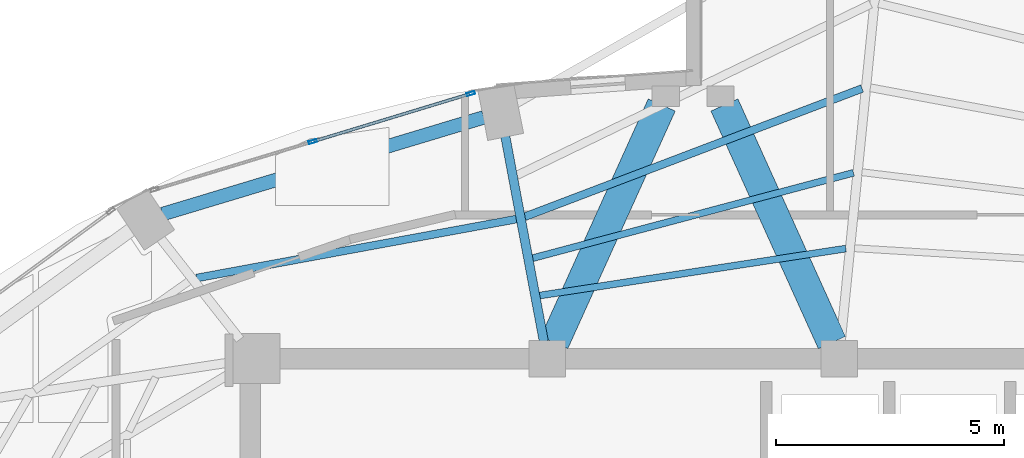
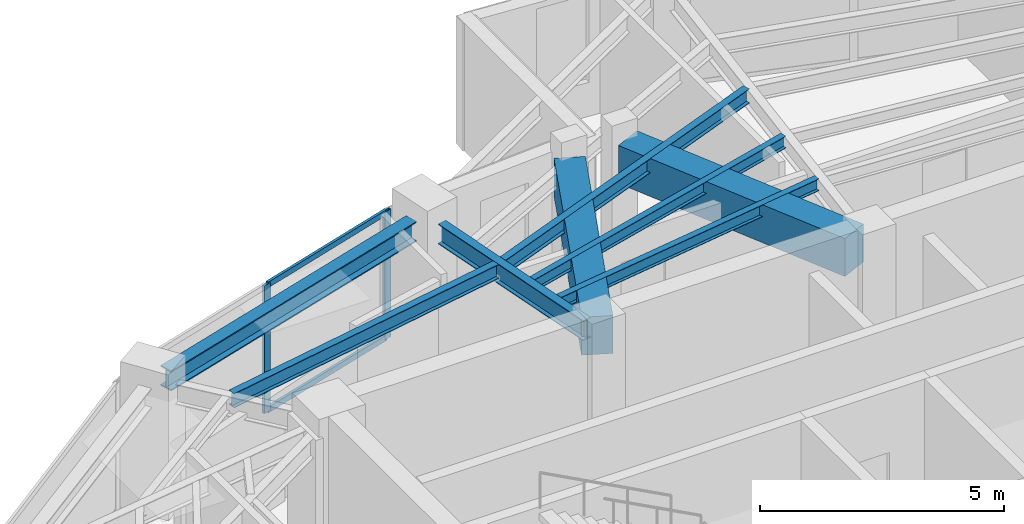
# One storey, part 11 of 22: 8 beams, 4 members, 1 element without a shape of its own.
"""IFC4 building model written with IfcOpenShell, lengths in metres."""

from ifc_helpers import new_model, si_unit, direction, frame, origin, origin_2d, place, context, subcontext, project, spatial, rectangle, hollow_rectangle, i_section, extrude, material, layer, layer_set, material_profile, profile_set, type_object, element, aggregate, save


model = new_model("IFC4")

# Units and contexts
model_context = context("Model", 3, precision=1e-05, world=origin(), true_north=direction((0.0, 1.0)))
body_context = subcontext(model_context, "Body", "Model", "MODEL_VIEW")
ifc_project = project(units=[si_unit("LENGTHUNIT", "METRE"), si_unit("AREAUNIT", "SQUARE_METRE"), si_unit("VOLUMEUNIT", "CUBIC_METRE"), si_unit("PLANEANGLEUNIT", "RADIAN"), si_unit("MASSUNIT", "GRAM", prefix="KILO")], contexts=[model_context])

# Site, building, storey
site_placement = place(None, origin())
site = spatial("IfcSite", under=ifc_project, at=site_placement, CompositionType="ELEMENT")
building_placement = place(site_placement, origin())
building = spatial("IfcBuilding", under=site, at=building_placement, Name="Lazwardi Medical Tower", CompositionType="ELEMENT")
storey_placement = place(building_placement, frame((0.0, 0.0, 242.256103515625)))
storey = spatial("IfcBuildingStorey", under=building, at=storey_placement, Name="L63", CompositionType="ELEMENT", Elevation=242.256103515625)

# Beams
ifc_material_1 = material(Name="Concrete C60/75", Category="concrete")
ifc_material_profile_1 = material_profile(ifc_material_1, rectangle(XDim=0.64990234375, YDim=0.949951171875, at=origin_2d()), Name="RC 650x950")
ifc_profile_set_1 = profile_set([ifc_material_profile_1], Name="Concrete C60/75")
beam_type_1 = type_object("IfcBeamType", Name="BM-CB-RC2", PredefinedType="LINTEL", material=ifc_profile_set_1)
for number, where, z_axis, x_axis, name in (
    (1, (32.95849609375, 35.95068359375, 2.722900390625), (0.412019279944, 0.911175127489, 0.0), (-0.911175127489, 0.412019279944, 0.0), "Core coupling lintel CB-02 PL1 L63"),
    (2, (39.04150390625, 35.95068359375, 2.722900390625), (-0.412019279944, 0.911175127489, 0.0), (-0.911175127489, -0.412019279944, 0.0), "Core coupling lintel CB-02 PL2 L63"),
):
    element("IfcBeam", number, at=place(storey_placement, frame(where, z_axis=z_axis, x_axis=x_axis)), inside=storey, type_object=beam_type_1, Name=name, PredefinedType="LINTEL", context=body_context, shape_type="SweptSolid", body=[
        extrude(rectangle(XDim=0.64990234375, YDim=0.949951171875, at=origin_2d()), origin(), (0.0, 0.0, 1.0), 5.7158203125),
    ])
ifc_material_2 = material(Name="Steel S355", Category="steel")
ifc_material_profile_2 = material_profile(ifc_material_2, i_section(OverallWidth=0.300048828125, OverallDepth=0.5, WebThickness=0.014404296875, FlangeThickness=0.028076171875, at=origin_2d()), Name="HEB 500")
ifc_profile_set_2 = profile_set([ifc_material_profile_2], Name="Steel S355")
beam_type_2 = type_object("IfcBeamType", Name="BM-RB-Z4", PredefinedType="BEAM", material=ifc_profile_set_2)
beam_1_placement = place(storey_placement, frame((31.41259765625, 40.885986328125, 2.947998046875), z_axis=(-0.957544311906, -0.288286126506, 0.0), x_axis=(0.288286126506, -0.957544311906, 0.0)))
element("IfcBeam", 3, at=beam_1_placement, inside=storey, type_object=beam_type_2, Name="Ring beam RB-05 B09 L63", PredefinedType="BEAM", context=body_context, shape_type="SweptSolid", body=[
    extrude(i_section(OverallWidth=0.300048828125, OverallDepth=0.5, WebThickness=0.014404296875, FlangeThickness=0.028076171875, at=origin_2d()), origin(), (0.0, 0.0, 1.0), 7.3515625),
])
ifc_material_profile_3 = material_profile(ifc_material_2, i_section(OverallWidth=0.199951171875, OverallDepth=0.5, WebThickness=0.01025390625, FlangeThickness=0.01611328125, at=origin_2d()), Name="IPE 500")
ifc_profile_set_3 = profile_set([ifc_material_profile_3], Name="Steel S355")
beam_type_3 = type_object("IfcBeamType", Name="BM-RG-W3", PredefinedType="BEAM", material=ifc_profile_set_3)
beam_2_placement = place(storey_placement, frame((31.884765625, 40.472412109375, 2.947998046875), z_axis=(0.184633463507, -0.982807450192, 0.0), x_axis=(0.982807450192, 0.184633463507, 0.0)))
element("IfcBeam", 4, at=beam_2_placement, inside=storey, type_object=beam_type_3, Name="Radial girder RG-04 R09 L63", PredefinedType="BEAM", context=body_context, shape_type="SweptSolid", body=[
    extrude(i_section(OverallWidth=0.199951171875, OverallDepth=0.5, WebThickness=0.01025390625, FlangeThickness=0.01611328125, at=origin_2d()), origin(), (0.0, 0.0, 1.0), 4.572509765625),
])
ifc_material_profile_4 = material_profile(ifc_material_2, i_section(OverallWidth=0.169921875, OverallDepth=0.360107421875, WebThickness=0.008056640625, FlangeThickness=0.0126953125, at=origin_2d()), Name="IPE 360")
ifc_profile_set_4 = profile_set([ifc_material_profile_4], Name="Steel S355")
beam_type_4 = type_object("IfcBeamType", Name="BM-SJ-02", PredefinedType="JOIST", material=ifc_profile_set_4)
beam_3_placement = place(storey_placement, frame((39.703125, 41.51904296875, 3.017822265625), z_axis=(-0.934714470268, -0.355399576633, 0.0), x_axis=(0.355399576633, -0.934714470268, 0.0)))
element("IfcBeam", 5, at=beam_3_placement, inside=storey, type_object=beam_type_4, Name="Secondary joist SJ-02 R2 B08 L63", PredefinedType="JOIST", context=body_context, shape_type="SweptSolid", body=[
    extrude(i_section(OverallWidth=0.169921875, OverallDepth=0.360107421875, WebThickness=0.008056640625, FlangeThickness=0.0126953125, at=origin_2d()), origin(), (0.0, 0.0, 1.0), 7.908203125),
])
beam_4_placement = place(storey_placement, frame((32.12890625, 38.65771484375, 3.017822265625), z_axis=(-0.983427965623, -0.181299300688, 0.0), x_axis=(0.181299300688, -0.983427965623, 0.0)))
element("IfcBeam", 6, at=beam_4_placement, inside=storey, type_object=beam_type_4, Name="Secondary joist SJ-02 R2 B09 L63", PredefinedType="JOIST", context=body_context, shape_type="SweptSolid", body=[
    extrude(i_section(OverallWidth=0.169921875, OverallDepth=0.360107421875, WebThickness=0.008056640625, FlangeThickness=0.0126953125, at=origin_2d()), origin(), (0.0, 0.0, 1.0), 7.127685546875),
])
ifc_material_profile_5 = material_profile(ifc_material_2, i_section(OverallWidth=0.14990234375, OverallDepth=0.300048828125, WebThickness=0.007080078125, FlangeThickness=0.0107421875, at=origin_2d()), Name="IPE 300")
ifc_profile_set_5 = profile_set([ifc_material_profile_5], Name="Steel S355")
beam_type_5 = type_object("IfcBeamType", Name="BM-SJ-03", PredefinedType="JOIST", material=ifc_profile_set_5)
beam_5_placement = place(storey_placement, frame((39.515380859375, 39.671875, 3.0478515625), z_axis=(-0.966369007826, -0.257159368316, 0.0), x_axis=(0.257159368316, -0.966369007826, 0.0)))
element("IfcBeam", 7, at=beam_5_placement, inside=storey, type_object=beam_type_5, Name="Secondary joist SJ-03 R3 B08 L63", PredefinedType="JOIST", context=body_context, shape_type="SweptSolid", body=[
    extrude(i_section(OverallWidth=0.14990234375, OverallDepth=0.300048828125, WebThickness=0.007080078125, FlangeThickness=0.0107421875, at=origin_2d()), origin(), (0.0, 0.0, 1.0), 7.27685546875),
])
beam_6_placement = place(storey_placement, frame((39.347412109375, 38.010986328125, 3.0478515625), z_axis=(-0.988433562862, -0.151654514629, 0.0), x_axis=(0.151654514629, -0.988433562862, 0.0)))
element("IfcBeam", 8, at=beam_6_placement, inside=storey, type_object=beam_type_5, Name="Secondary joist SJ-03 R4 B08 L63", PredefinedType="JOIST", context=body_context, shape_type="SweptSolid", body=[
    extrude(i_section(OverallWidth=0.14990234375, OverallDepth=0.300048828125, WebThickness=0.007080078125, FlangeThickness=0.0107421875, at=origin_2d()), origin(), (0.0, 0.0, 1.0), 6.788818359375),
])

# Curtain wall, members
ifc_material_3 = material(Name="Anodised bronze aluminium and solar control glazing", Category="aluminium")
ifc_layer = layer(ifc_material_3, 0.18994140625)
ifc_layer_set = layer_set([ifc_layer], Name="Anodised bronze aluminium and solar control glazing")
curtain_wall_type = type_object("IfcCurtainWallType", Name="CW-SYS-04", PredefinedType="NOTDEFINED", material=ifc_layer_set)
curtain_wall_placement = place(storey_placement, origin())
curtain_wall = element("IfcCurtainWall", 9, at=curtain_wall_placement, inside=storey, type_object=curtain_wall_type, Name="L63 Unitised bronze curtain wall CW-04", PredefinedType="NOTDEFINED")
ifc_material_4 = material(Name="Anodised bronze aluminium", Category="aluminium")
ifc_material_profile_6 = material_profile(ifc_material_4, hollow_rectangle(XDim=0.06494140625, YDim=0.179931640625, WallThickness=0.00390625, at=origin_2d()), Name="ALU-MULLION 180x65x4")
ifc_profile_set_6 = profile_set([ifc_material_profile_6], Name="Anodised bronze aluminium")
member_type_1 = type_object("IfcMemberType", Name="CW-MUL-03", PredefinedType="MULLION", material=ifc_profile_set_6)
member_1_placement = place(storey_placement, frame((31.126953125, 41.406982421875, 0.0), z_axis=(0.0, 0.0, 1.0), x_axis=(0.290581889515, -0.956850126972, 0.0)))
member_1 = element("IfcMember", 10, at=member_1_placement, type_object=member_type_1, Name="CW-04 mullion 1", PredefinedType="MULLION", context=body_context, shape_type="SweptSolid", body=[
    extrude(hollow_rectangle(XDim=0.06494140625, YDim=0.179931640625, WallThickness=0.00390625, at=origin_2d()), origin(), (0.0, 0.0, 1.0), 3.197998046875),
])
member_2_placement = place(storey_placement, frame((27.66357421875, 40.355224609375, 0.0), z_axis=(0.0, 0.0, 1.0), x_axis=(0.290581889515, -0.956850126972, 0.0)))
member_2 = element("IfcMember", 11, at=member_2_placement, type_object=member_type_1, Name="CW-04 mullion 2", PredefinedType="MULLION", context=body_context, shape_type="SweptSolid", body=[
    extrude(hollow_rectangle(XDim=0.06494140625, YDim=0.179931640625, WallThickness=0.00390625, at=origin_2d()), origin(), (0.0, 0.0, 1.0), 3.197998046875),
])
ifc_material_profile_7 = material_profile(ifc_material_4, hollow_rectangle(XDim=0.06494140625, YDim=0.139892578125, WallThickness=0.00341796875, at=origin_2d()), Name="ALU-TRANSOM 140x65x3.5")
ifc_profile_set_7 = profile_set([ifc_material_profile_7], Name="Anodised bronze aluminium")
member_type_2 = type_object("IfcMemberType", Name="CW-TRN-03", PredefinedType="USERDEFINED", material=ifc_profile_set_7)
member_3_placement = place(storey_placement, frame((31.095703125, 41.397705078125, 0.032470703125), z_axis=(-0.956843409009, -0.290604010015, 0.0), x_axis=(0.290604010015, -0.956843409009, 0.0)))
member_3 = element("IfcMember", 12, at=member_3_placement, type_object=member_type_2, Name="CW-04 transom 1.1", ObjectType="TRANSOM", PredefinedType="USERDEFINED", context=body_context, shape_type="SweptSolid", body=[
    extrude(hollow_rectangle(XDim=0.06494140625, YDim=0.139892578125, WallThickness=0.00341796875, at=origin_2d()), origin(), (0.0, 0.0, 1.0), 3.554443359375),
])
member_4_placement = place(storey_placement, frame((31.095703125, 41.397705078125, 3.165283203125), z_axis=(-0.956843409009, -0.290604010015, 0.0), x_axis=(0.290604010015, -0.956843409009, 0.0)))
member_4 = element("IfcMember", 13, at=member_4_placement, type_object=member_type_2, Name="CW-04 transom 1.2", ObjectType="TRANSOM", PredefinedType="USERDEFINED", context=body_context, shape_type="SweptSolid", body=[
    extrude(hollow_rectangle(XDim=0.06494140625, YDim=0.139892578125, WallThickness=0.00341796875, at=origin_2d()), origin(), (0.0, 0.0, 1.0), 3.554443359375),
])
aggregate(curtain_wall, [member_1, member_2, member_3, member_4])

save(model, "model.ifc")
